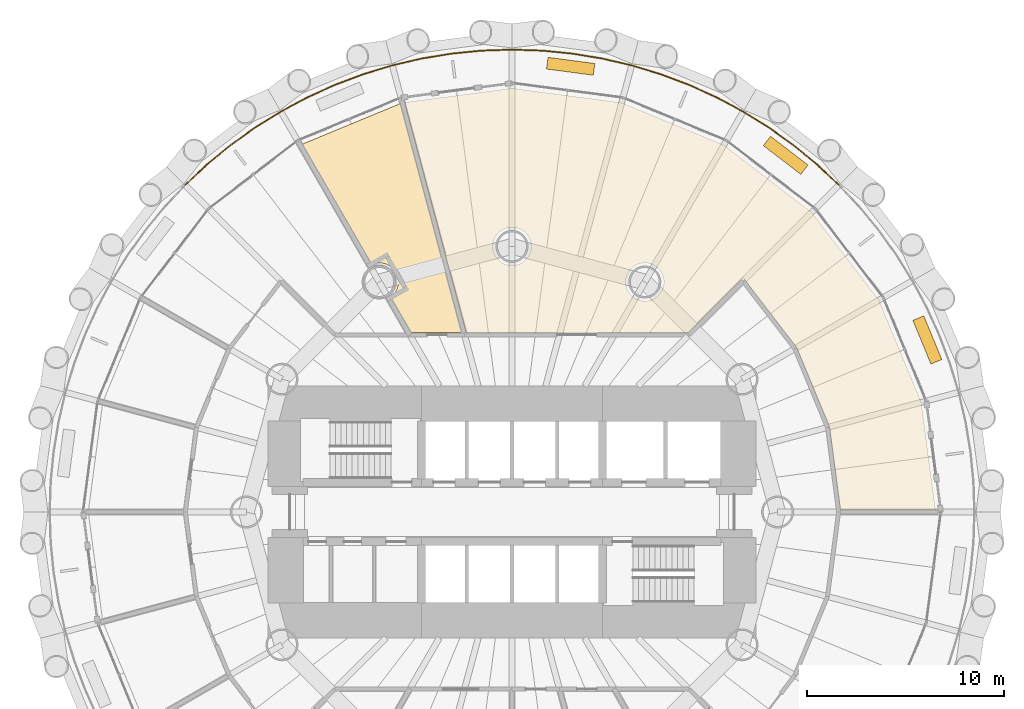
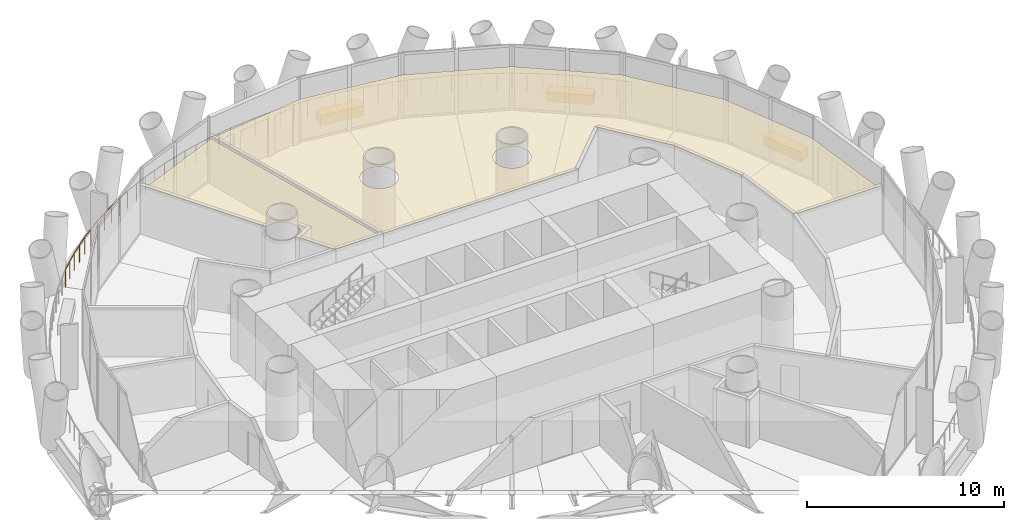
# One storey, part 16 of 16: 5 coverings, 1 railing.
"""IFC4 building model written with IfcOpenShell, lengths in metres."""

from ifc_helpers import new_model, si_unit, direction, frame, origin, origin_2d, place, context, subcontext, project, spatial, polyline, rectangle, circle, outline, extrude, material, layer, layer_set, type_object, element, save


model = new_model("IFC4")

# Units and contexts
model_context = context("Model", 3, precision=1e-05, world=origin(), true_north=direction((0.0, 1.0)))
body_context = subcontext(model_context, "Body", "Model", "MODEL_VIEW")
ifc_project = project(units=[si_unit("LENGTHUNIT", "METRE"), si_unit("AREAUNIT", "SQUARE_METRE"), si_unit("VOLUMEUNIT", "CUBIC_METRE"), si_unit("PLANEANGLEUNIT", "RADIAN"), si_unit("MASSUNIT", "GRAM", prefix="KILO")], contexts=[model_context])

# Site, building, storey
site_placement = place(None, origin())
site = spatial("IfcSite", under=ifc_project, at=site_placement, CompositionType="ELEMENT")
building_placement = place(site_placement, origin())
building = spatial("IfcBuilding", under=site, at=building_placement, Name="Qaws Media Tower", CompositionType="ELEMENT")
storey_placement = place(building_placement, frame((0.0, 0.0, 42.800048828125)))
storey = spatial("IfcBuildingStorey", under=building, at=storey_placement, Name="L08", CompositionType="ELEMENT", Elevation=42.800048828125)

# Railing
ifc_material_1 = material(Name="Stainless steel and glass guard", Category="steel")
railing_type = type_object("IfcRailingType", Name="Balcony guard 1100", PredefinedType="GUARDRAIL", material=ifc_material_1)
railing_placement = place(storey_placement, frame((76.616943359375, 66.616943359375, 0.0)))
element("IfcRailing", 1, at=railing_placement, inside=storey, type_object=railing_type, Name="GR1 balcony guard L08-1", PredefinedType="GUARDRAIL", context=body_context, shape_type="SweptSolid", body=[
    extrude(circle(Radius=0.02392578125, at=origin_2d()), frame((0.0, 0.0, 1.076171875), z_axis=(-0.729829246613, 0.683629483557, 0.0), x_axis=(-0.683629483557, -0.729829246613, 0.0)), (0.0, 0.0, 1.0), 1.537841796875),
    extrude(circle(Radius=0.02392578125, at=origin_2d()), frame((-1.122314453125, 1.05126953125, 1.076171875), z_axis=(-0.773001502536, 0.634404190621, 0.0), x_axis=(-0.634404190621, -0.773001502536, 0.0)), (0.0, 0.0, 1.0), 1.537841796875),
    extrude(circle(Radius=0.02392578125, at=origin_2d()), frame((-2.31103515625, 2.02685546875, 1.076171875), z_axis=(-0.812842183178, 0.582483978532, 0.0), x_axis=(-0.582483978532, -0.812842183178, 0.0)), (0.0, 0.0, 1.0), 1.537841796875),
    extrude(circle(Radius=0.02392578125, at=origin_2d()), frame((-3.56103515625, 2.922607421875, 1.076171875), z_axis=(-0.849217982545, 0.528042439698, 0.0), x_axis=(-0.528042439698, -0.849217982545, 0.0)), (0.0, 0.0, 1.0), 1.537841796875),
    extrude(circle(Radius=0.02392578125, at=origin_2d()), frame((-4.866943359375, 3.734619140625, 1.076171875), z_axis=(-0.881935082539, 0.471370883899, 0.0), x_axis=(-0.471370883899, -0.881935082539, 0.0)), (0.0, 0.0, 1.0), 1.537841796875),
    extrude(circle(Radius=0.02392578125, at=origin_2d()), frame((-6.22314453125, 4.45947265625, 1.076171875), z_axis=(-0.91082806466, 0.412785945288, 0.0), x_axis=(-0.412785945288, -0.91082806466, 0.0)), (0.0, 0.0, 1.0), 1.537841796875),
    extrude(circle(Radius=0.02392578125, at=origin_2d()), frame((-7.623779296875, 5.09423828125, 1.076171875), z_axis=(-0.93591101666, 0.352236524079, 0.0), x_axis=(-0.352236524079, -0.93591101666, 0.0)), (0.0, 0.0, 1.0), 1.5380859375),
    extrude(circle(Radius=0.02392578125, at=origin_2d()), frame((-9.063232421875, 5.635986328125, 1.076171875), z_axis=(-0.956952263936, 0.290245352327, 0.0), x_axis=(-0.290245352327, -0.956952263936, 0.0)), (0.0, 0.0, 1.0), 1.53759765625),
    extrude(circle(Radius=0.02392578125, at=origin_2d()), frame((-10.53466796875, 6.082275390625, 1.076171875), z_axis=(-0.973885693077, 0.227038888344, 0.0), x_axis=(-0.227038888344, -0.973885693077, 0.0)), (0.0, 0.0, 1.0), 1.53759765625),
    extrude(circle(Radius=0.02392578125, at=origin_2d()), frame((-12.0322265625, 6.431396484375, 1.076171875), z_axis=(-0.986620376373, 0.163034453184, 0.0), x_axis=(-0.163034453184, -0.986620376373, 0.0)), (0.0, 0.0, 1.0), 1.537841796875),
    extrude(circle(Radius=0.02392578125, at=origin_2d()), frame((-13.549560546875, 6.68212890625, 1.076171875), z_axis=(-0.995191578065, 0.097947552028, 0.0), x_axis=(-0.097947552028, -0.995191578065, 0.0)), (0.0, 0.0, 1.0), 1.537841796875),
    extrude(circle(Radius=0.02392578125, at=origin_2d()), frame((-15.080078125, 6.832763671875, 1.076171875), z_axis=(-0.999464986997, 0.032706876461, 0.0), x_axis=(-0.032706876461, -0.999464986997, 0.0)), (0.0, 0.0, 1.0), 1.53759765625),
    extrude(circle(Radius=0.02392578125, at=origin_2d()), frame((-16.616943359375, 6.883056640625, 1.076171875), z_axis=(-0.999464986997, -0.032706876461, 0.0), x_axis=(0.032706876461, -0.999464986997, 0.0)), (0.0, 0.0, 1.0), 1.53759765625),
    extrude(circle(Radius=0.02392578125, at=origin_2d()), frame((-18.15380859375, 6.832763671875, 1.076171875), z_axis=(-0.995191578065, -0.097947552028, 0.0), x_axis=(0.097947552028, -0.995191578065, 0.0)), (0.0, 0.0, 1.0), 1.537841796875),
    extrude(circle(Radius=0.02392578125, at=origin_2d()), frame((-19.684326171875, 6.68212890625, 1.076171875), z_axis=(-0.986620376373, -0.163034453184, 0.0), x_axis=(0.163034453184, -0.986620376373, 0.0)), (0.0, 0.0, 1.0), 1.537841796875),
    extrude(circle(Radius=0.02392578125, at=origin_2d()), frame((-21.20166015625, 6.431396484375, 1.076171875), z_axis=(-0.973885693077, -0.227038888344, 0.0), x_axis=(0.227038888344, -0.973885693077, 0.0)), (0.0, 0.0, 1.0), 1.53759765625),
    extrude(circle(Radius=0.02392578125, at=origin_2d()), frame((-22.69921875, 6.082275390625, 1.076171875), z_axis=(-0.956952263936, -0.290245352327, 0.0), x_axis=(0.290245352327, -0.956952263936, 0.0)), (0.0, 0.0, 1.0), 1.53759765625),
    extrude(circle(Radius=0.02392578125, at=origin_2d()), frame((-24.170654296875, 5.635986328125, 1.076171875), z_axis=(-0.93591101666, -0.352236524079, 0.0), x_axis=(0.352236524079, -0.93591101666, 0.0)), (0.0, 0.0, 1.0), 1.5380859375),
    extrude(circle(Radius=0.02392578125, at=origin_2d()), frame((-25.610107421875, 5.09423828125, 1.076171875), z_axis=(-0.91082806466, -0.412785945288, 0.0), x_axis=(0.412785945288, -0.91082806466, 0.0)), (0.0, 0.0, 1.0), 1.537841796875),
    extrude(circle(Radius=0.02392578125, at=origin_2d()), frame((-27.0107421875, 4.45947265625, 1.076171875), z_axis=(-0.881935082539, -0.471370883899, 0.0), x_axis=(0.471370883899, -0.881935082539, 0.0)), (0.0, 0.0, 1.0), 1.537841796875),
    extrude(circle(Radius=0.02392578125, at=origin_2d()), frame((-28.366943359375, 3.734619140625, 1.076171875), z_axis=(-0.849217982545, -0.528042439698, 0.0), x_axis=(0.528042439698, -0.849217982545, 0.0)), (0.0, 0.0, 1.0), 1.537841796875),
    extrude(circle(Radius=0.02392578125, at=origin_2d()), frame((-29.6728515625, 2.922607421875, 1.076171875), z_axis=(-0.812842183178, -0.582483978532, 0.0), x_axis=(0.582483978532, -0.812842183178, 0.0)), (0.0, 0.0, 1.0), 1.537841796875),
    extrude(circle(Radius=0.02392578125, at=origin_2d()), frame((-30.9228515625, 2.02685546875, 1.076171875), z_axis=(-0.773001502536, -0.634404190621, 0.0), x_axis=(0.634404190621, -0.773001502536, 0.0)), (0.0, 0.0, 1.0), 1.537841796875),
    extrude(circle(Radius=0.02392578125, at=origin_2d()), frame((-32.111572265625, 1.05126953125, 1.076171875), z_axis=(-0.729829246613, -0.683629483557, 0.0), x_axis=(0.683629483557, -0.729829246613, 0.0)), (0.0, 0.0, 1.0), 1.537841796875),
    extrude(circle(Radius=0.02099609375, at=origin_2d()), origin(), (0.0, 0.0, 1.0), 1.052001953125),
    extrude(circle(Radius=0.02099609375, at=origin_2d()), frame((-0.56103515625, 0.525634765625, 0.0)), (0.0, 0.0, 1.0), 1.052001953125),
    extrude(circle(Radius=0.02099609375, at=origin_2d()), frame((-1.122314453125, 1.05126953125, 0.0)), (0.0, 0.0, 1.0), 1.052001953125),
    extrude(circle(Radius=0.02099609375, at=origin_2d()), frame((-1.716796875, 1.5390625, 0.0)), (0.0, 0.0, 1.0), 1.052001953125),
    extrude(circle(Radius=0.02099609375, at=origin_2d()), frame((-2.31103515625, 2.02685546875, 0.0)), (0.0, 0.0, 1.0), 1.052001953125),
    extrude(circle(Radius=0.02099609375, at=origin_2d()), frame((-2.93603515625, 2.474609375, 0.0)), (0.0, 0.0, 1.0), 1.052001953125),
    extrude(circle(Radius=0.02099609375, at=origin_2d()), frame((-3.56103515625, 2.922607421875, 0.0)), (0.0, 0.0, 1.0), 1.052001953125),
    extrude(circle(Radius=0.02099609375, at=origin_2d()), frame((-4.2138671875, 3.32861328125, 0.0)), (0.0, 0.0, 1.0), 1.052001953125),
    extrude(circle(Radius=0.02099609375, at=origin_2d()), frame((-4.866943359375, 3.734619140625, 0.0)), (0.0, 0.0, 1.0), 1.052001953125),
    extrude(circle(Radius=0.02099609375, at=origin_2d()), frame((-5.544921875, 4.09716796875, 0.0)), (0.0, 0.0, 1.0), 1.052001953125),
    extrude(circle(Radius=0.02099609375, at=origin_2d()), frame((-6.22314453125, 4.45947265625, 0.0)), (0.0, 0.0, 1.0), 1.052001953125),
    extrude(circle(Radius=0.02099609375, at=origin_2d()), frame((-6.92333984375, 4.77685546875, 0.0)), (0.0, 0.0, 1.0), 1.052001953125),
    extrude(circle(Radius=0.02099609375, at=origin_2d()), frame((-7.623779296875, 5.09423828125, 0.0)), (0.0, 0.0, 1.0), 1.052001953125),
    extrude(circle(Radius=0.02099609375, at=origin_2d()), frame((-8.343505859375, 5.365234375, 0.0)), (0.0, 0.0, 1.0), 1.052001953125),
    extrude(circle(Radius=0.02099609375, at=origin_2d()), frame((-9.063232421875, 5.635986328125, 0.0)), (0.0, 0.0, 1.0), 1.052001953125),
    extrude(circle(Radius=0.02099609375, at=origin_2d()), frame((-9.798828125, 5.859130859375, 0.0)), (0.0, 0.0, 1.0), 1.052001953125),
    extrude(circle(Radius=0.02099609375, at=origin_2d()), frame((-10.53466796875, 6.082275390625, 0.0)), (0.0, 0.0, 1.0), 1.052001953125),
    extrude(circle(Radius=0.02099609375, at=origin_2d()), frame((-11.283447265625, 6.2568359375, 0.0)), (0.0, 0.0, 1.0), 1.052001953125),
    extrude(circle(Radius=0.02099609375, at=origin_2d()), frame((-12.0322265625, 6.431396484375, 0.0)), (0.0, 0.0, 1.0), 1.052001953125),
    extrude(circle(Radius=0.02099609375, at=origin_2d()), frame((-12.791015625, 6.556640625, 0.0)), (0.0, 0.0, 1.0), 1.052001953125),
    extrude(circle(Radius=0.02099609375, at=origin_2d()), frame((-13.549560546875, 6.68212890625, 0.0)), (0.0, 0.0, 1.0), 1.052001953125),
    extrude(circle(Radius=0.02099609375, at=origin_2d()), frame((-14.31494140625, 6.75732421875, 0.0)), (0.0, 0.0, 1.0), 1.052001953125),
    extrude(circle(Radius=0.02099609375, at=origin_2d()), frame((-15.080078125, 6.832763671875, 0.0)), (0.0, 0.0, 1.0), 1.052001953125),
    extrude(circle(Radius=0.02099609375, at=origin_2d()), frame((-15.8486328125, 6.85791015625, 0.0)), (0.0, 0.0, 1.0), 1.052001953125),
    extrude(circle(Radius=0.02099609375, at=origin_2d()), frame((-16.616943359375, 6.883056640625, 0.0)), (0.0, 0.0, 1.0), 1.052001953125),
    extrude(circle(Radius=0.02099609375, at=origin_2d()), frame((-17.38525390625, 6.85791015625, 0.0)), (0.0, 0.0, 1.0), 1.052001953125),
    extrude(circle(Radius=0.02099609375, at=origin_2d()), frame((-18.15380859375, 6.832763671875, 0.0)), (0.0, 0.0, 1.0), 1.052001953125),
    extrude(circle(Radius=0.02099609375, at=origin_2d()), frame((-18.9189453125, 6.75732421875, 0.0)), (0.0, 0.0, 1.0), 1.052001953125),
    extrude(circle(Radius=0.02099609375, at=origin_2d()), frame((-19.684326171875, 6.68212890625, 0.0)), (0.0, 0.0, 1.0), 1.052001953125),
    extrude(circle(Radius=0.02099609375, at=origin_2d()), frame((-20.44287109375, 6.556640625, 0.0)), (0.0, 0.0, 1.0), 1.052001953125),
    extrude(circle(Radius=0.02099609375, at=origin_2d()), frame((-21.20166015625, 6.431396484375, 0.0)), (0.0, 0.0, 1.0), 1.052001953125),
    extrude(circle(Radius=0.02099609375, at=origin_2d()), frame((-21.950439453125, 6.2568359375, 0.0)), (0.0, 0.0, 1.0), 1.052001953125),
    extrude(circle(Radius=0.02099609375, at=origin_2d()), frame((-22.69921875, 6.082275390625, 0.0)), (0.0, 0.0, 1.0), 1.052001953125),
    extrude(circle(Radius=0.02099609375, at=origin_2d()), frame((-23.43505859375, 5.859130859375, 0.0)), (0.0, 0.0, 1.0), 1.052001953125),
    extrude(circle(Radius=0.02099609375, at=origin_2d()), frame((-24.170654296875, 5.635986328125, 0.0)), (0.0, 0.0, 1.0), 1.052001953125),
    extrude(circle(Radius=0.02099609375, at=origin_2d()), frame((-24.890380859375, 5.365234375, 0.0)), (0.0, 0.0, 1.0), 1.052001953125),
    extrude(circle(Radius=0.02099609375, at=origin_2d()), frame((-25.610107421875, 5.09423828125, 0.0)), (0.0, 0.0, 1.0), 1.052001953125),
    extrude(circle(Radius=0.02099609375, at=origin_2d()), frame((-26.310546875, 4.77685546875, 0.0)), (0.0, 0.0, 1.0), 1.052001953125),
    extrude(circle(Radius=0.02099609375, at=origin_2d()), frame((-27.0107421875, 4.45947265625, 0.0)), (0.0, 0.0, 1.0), 1.052001953125),
    extrude(circle(Radius=0.02099609375, at=origin_2d()), frame((-27.68896484375, 4.09716796875, 0.0)), (0.0, 0.0, 1.0), 1.052001953125),
    extrude(circle(Radius=0.02099609375, at=origin_2d()), frame((-28.366943359375, 3.734619140625, 0.0)), (0.0, 0.0, 1.0), 1.052001953125),
    extrude(circle(Radius=0.02099609375, at=origin_2d()), frame((-29.02001953125, 3.32861328125, 0.0)), (0.0, 0.0, 1.0), 1.052001953125),
    extrude(circle(Radius=0.02099609375, at=origin_2d()), frame((-29.6728515625, 2.922607421875, 0.0)), (0.0, 0.0, 1.0), 1.052001953125),
    extrude(circle(Radius=0.02099609375, at=origin_2d()), frame((-30.2978515625, 2.474609375, 0.0)), (0.0, 0.0, 1.0), 1.052001953125),
    extrude(circle(Radius=0.02099609375, at=origin_2d()), frame((-30.9228515625, 2.02685546875, 0.0)), (0.0, 0.0, 1.0), 1.052001953125),
    extrude(circle(Radius=0.02099609375, at=origin_2d()), frame((-31.51708984375, 1.5390625, 0.0)), (0.0, 0.0, 1.0), 1.052001953125),
    extrude(circle(Radius=0.02099609375, at=origin_2d()), frame((-32.111572265625, 1.05126953125, 0.0)), (0.0, 0.0, 1.0), 1.052001953125),
    extrude(circle(Radius=0.02099609375, at=origin_2d()), frame((-32.6728515625, 0.525634765625, 0.0)), (0.0, 0.0, 1.0), 1.052001953125),
    extrude(circle(Radius=0.02099609375, at=origin_2d()), frame((-33.23388671875, 0.0, 0.0)), (0.0, 0.0, 1.0), 1.052001953125),
])

# Coverings
ifc_material_2 = material(Name="600 x 600 mineral fibre tiles in exposed grid, suspended", Category="mineral fibre")
ifc_layer_1 = layer(ifc_material_2, 0.02001953125)
ifc_layer_set_1 = layer_set([ifc_layer_1], Name="Mineral fibre tile ceiling 20")
covering_type_1 = type_object("IfcCoveringType", Name="Mineral fibre tile ceiling 20", PredefinedType="CEILING", material=ifc_layer_set_1)
covering_1_placement = place(storey_placement, frame((0.0, 0.0, 2.849853515625)))
element("IfcCovering", 2, at=covering_1_placement, inside=storey, type_object=covering_type_1, Name="CL1 ceiling L08-02 Production office", PredefinedType="CEILING", context=body_context, shape_type="SweptSolid", body=[
    extrude(outline(polyline([(60.0, 71.53515625), (65.57373046875, 70.801513671875), (70.767578125, 68.650146484375), (75.227783203125, 65.227783203125), (78.650146484375, 60.767578125), (80.801513671875, 55.57373046875), (81.5205078125, 50.112548828125), (76.69873046875, 50.112548828125), (76.14404296875, 54.32568359375), (74.474365234375, 58.356689453125), (71.7490234375, 61.908203125), (68.953369140625, 59.112548828125), (57.6748046875, 59.112548828125), (54.538818359375, 70.81640625), (60.0, 71.53515625)]), holes=[polyline([(60.89892578125, 63.127685546875), (60.939697265625, 63.248291015625), (60.964599609375, 63.373046875), (60.972900390625, 63.5), (60.964599609375, 63.626953125), (60.939697265625, 63.751708984375), (60.89892578125, 63.872314453125), (60.842529296875, 63.986572265625), (60.77197265625, 64.09228515625), (60.68798828125, 64.18798828125), (60.59228515625, 64.27197265625), (60.486572265625, 64.342529296875), (60.372314453125, 64.39892578125), (60.251708984375, 64.439697265625), (60.126953125, 64.464599609375), (60.0, 64.472900390625), (59.873046875, 64.464599609375), (59.748291015625, 64.439697265625), (59.627685546875, 64.39892578125), (59.513427734375, 64.342529296875), (59.40771484375, 64.27197265625), (59.31201171875, 64.18798828125), (59.22802734375, 64.09228515625), (59.157470703125, 63.986572265625), (59.10107421875, 63.872314453125), (59.060302734375, 63.751708984375), (59.035400390625, 63.626953125), (59.027099609375, 63.5), (59.035400390625, 63.373046875), (59.060302734375, 63.248291015625), (59.10107421875, 63.127685546875), (59.157470703125, 63.013427734375), (59.22802734375, 62.90771484375), (59.31201171875, 62.81201171875), (59.40771484375, 62.72802734375), (59.513427734375, 62.657470703125), (59.627685546875, 62.60107421875), (59.748291015625, 62.560302734375), (59.873046875, 62.535400390625), (60.0, 62.527099609375), (60.126953125, 62.535400390625), (60.251708984375, 62.560302734375), (60.372314453125, 62.60107421875), (60.486572265625, 62.657470703125), (60.59228515625, 62.72802734375), (60.68798828125, 62.81201171875), (60.77197265625, 62.90771484375), (60.842529296875, 63.013427734375), (60.89892578125, 63.127685546875)]), polyline([(67.64892578125, 61.319091796875), (67.689697265625, 61.439453125), (67.714599609375, 61.564208984375), (67.722900390625, 61.69140625), (67.714599609375, 61.818359375), (67.689697265625, 61.943115234375), (67.64892578125, 62.063720703125), (67.592529296875, 62.177734375), (67.52197265625, 62.28369140625), (67.43798828125, 62.37939453125), (67.34228515625, 62.46337890625), (67.236572265625, 62.533935546875), (67.122314453125, 62.59033203125), (67.001708984375, 62.631103515625), (66.876953125, 62.656005859375), (66.75, 62.664306640625), (66.623046875, 62.656005859375), (66.498291015625, 62.631103515625), (66.377685546875, 62.59033203125), (66.263427734375, 62.533935546875), (66.15771484375, 62.46337890625), (66.06201171875, 62.37939453125), (65.97802734375, 62.28369140625), (65.907470703125, 62.177734375), (65.85107421875, 62.063720703125), (65.810302734375, 61.943115234375), (65.785400390625, 61.818359375), (65.777099609375, 61.69140625), (65.785400390625, 61.564208984375), (65.810302734375, 61.439453125), (65.85107421875, 61.319091796875), (65.907470703125, 61.204833984375), (65.97802734375, 61.09912109375), (66.06201171875, 61.00341796875), (66.15771484375, 60.91943359375), (66.263427734375, 60.8486328125), (66.377685546875, 60.79248046875), (66.498291015625, 60.75146484375), (66.623046875, 60.726806640625), (66.75, 60.71826171875), (66.876953125, 60.726806640625), (67.001708984375, 60.75146484375), (67.122314453125, 60.79248046875), (67.236572265625, 60.8486328125), (67.34228515625, 60.91943359375), (67.43798828125, 61.00341796875), (67.52197265625, 61.09912109375), (67.592529296875, 61.204833984375), (67.64892578125, 61.319091796875)])]), origin(), (0.0, 0.0, 1.0), 0.02001953125),
])
ifc_material_3 = material(Name="Precast concrete planter with trailing planting", Category="concrete")
ifc_layer_2 = layer(ifc_material_3, 0.60009765625)
ifc_layer_set_2 = layer_set([ifc_layer_2], Name="Planter 2400x600")
covering_type_2 = type_object("IfcCoveringType", Name="Planter 2400x600", PredefinedType="USERDEFINED", material=ifc_layer_set_2)
for number, where, z_axis, x_axis, name in (
    (3, (81.110595703125, 58.744384765625, 0.0), (0.0, 0.0, 1.0), (-0.382683432365, 0.923879532511, 0.0), "PL1 balcony planter L08-01"),
    (4, (73.91015625, 68.128173828125, 0.0), (0.0, 0.0, 1.0), (-0.793353340291, 0.608761429009, 0.0), "PL1 balcony planter L08-02"),
    (5, (62.982421875, 72.654541015625, 0.0), (0.0, 0.0, 1.0), (-0.991444861374, 0.13052619222, 0.0), "PL1 balcony planter L08-03"),
):
    element("IfcCovering", number, at=place(storey_placement, frame(where, z_axis=z_axis, x_axis=x_axis)), inside=storey, type_object=covering_type_2, Name=name, ObjectType="PLANTER", PredefinedType="USERDEFINED", context=body_context, shape_type="SweptSolid", body=[
        extrude(rectangle(XDim=2.39990234375, YDim=0.60009765625, at=origin_2d()), origin(), (0.0, 0.0, 1.0), 0.60009765625),
    ])
ifc_material_4 = material(Name="Two layers 12.5 moisture-resistant plasterboard on suspended metal furring", Category="gypsum")
ifc_layer_3 = layer(ifc_material_4, 0.02490234375)
ifc_layer_set_3 = layer_set([ifc_layer_3], Name="Plasterboard ceiling 25")
covering_type_3 = type_object("IfcCoveringType", Name="Plasterboard ceiling 25", PredefinedType="CEILING", material=ifc_layer_set_3)
covering_2_placement = place(storey_placement, frame((0.0, 0.0, 2.849853515625)))
element("IfcCovering", 6, at=covering_2_placement, inside=storey, type_object=covering_type_3, Name="CL2 ceiling L08-03 Media asset room", PredefinedType="CEILING", context=body_context, shape_type="SweptSolid", body=[
    extrude(outline(polyline([(54.3212890625, 70.758056640625), (57.44189453125, 59.112548828125), (54.868896484375, 59.112548828125), (53.830078125, 60.911376953125), (53.84228515625, 60.91943359375), (53.93798828125, 61.00341796875), (54.02197265625, 61.09912109375), (54.092529296875, 61.204833984375), (54.14892578125, 61.319091796875), (54.189697265625, 61.439453125), (54.214599609375, 61.564208984375), (54.222900390625, 61.69140625), (54.214599609375, 61.818359375), (54.189697265625, 61.943115234375), (54.14892578125, 62.063720703125), (54.092529296875, 62.177734375), (54.02197265625, 62.28369140625), (53.93798828125, 62.37939453125), (53.84228515625, 62.46337890625), (53.736572265625, 62.533935546875), (53.622314453125, 62.59033203125), (53.501708984375, 62.631103515625), (53.376953125, 62.656005859375), (53.25, 62.664306640625), (53.123046875, 62.656005859375), (52.998291015625, 62.631103515625), (52.877685546875, 62.59033203125), (52.864501953125, 62.583740234375), (49.337158203125, 68.693603515625), (54.3212890625, 70.758056640625)])), origin(), (0.0, 0.0, 1.0), 0.025146484375),
])

save(model, "model.ifc")
